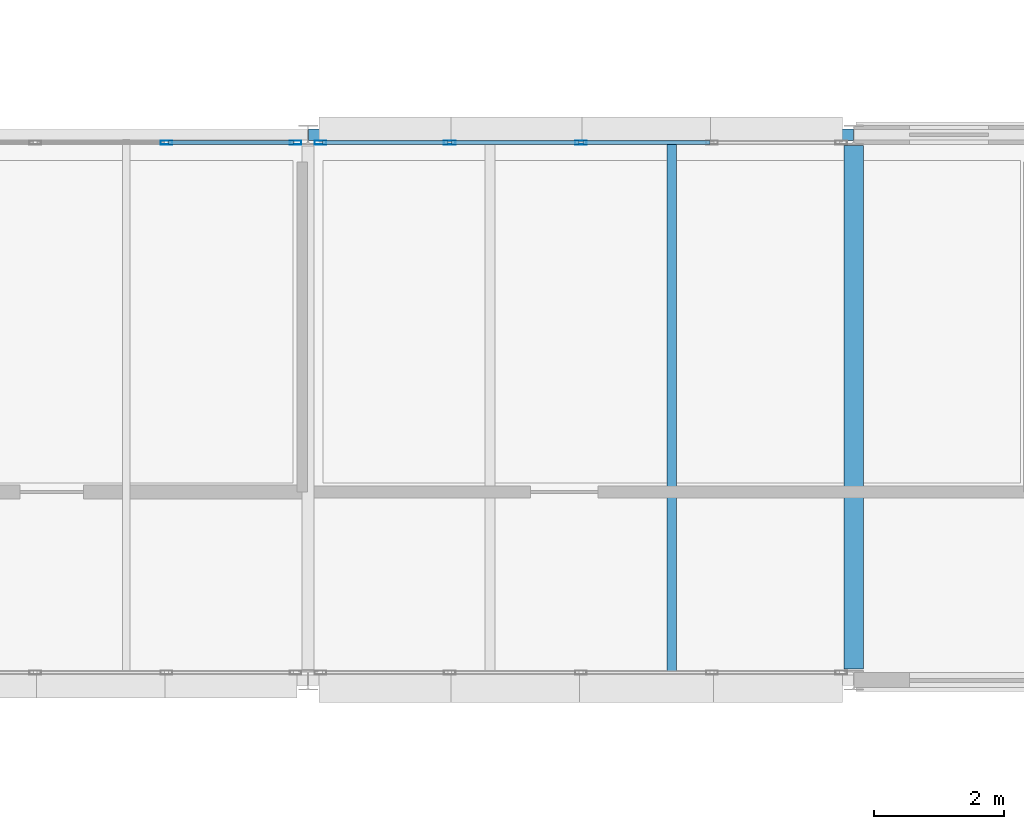
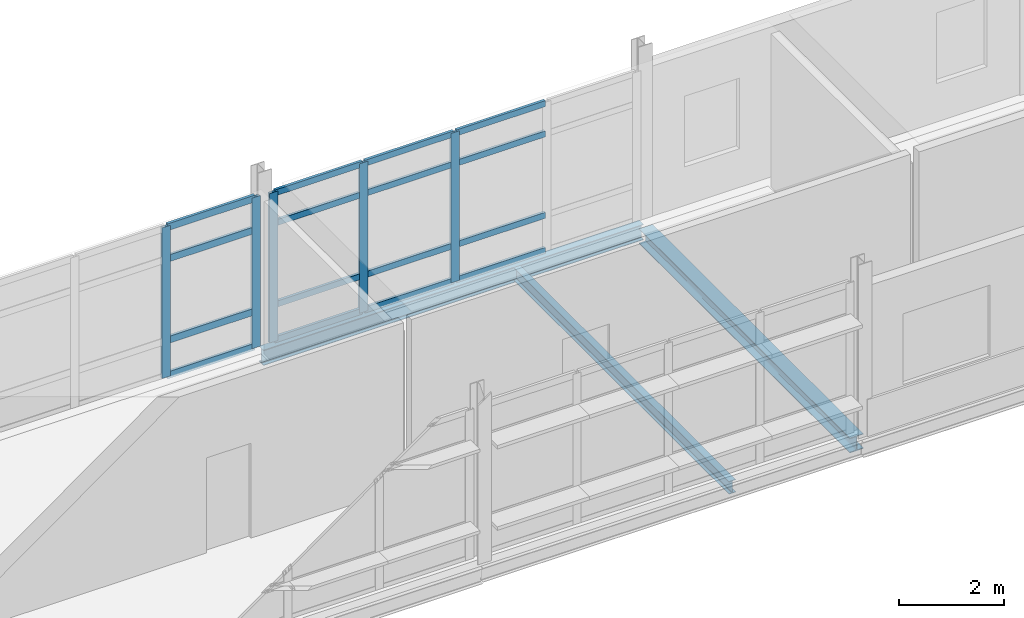
# One storey, part 24 of 57: 21 members, 3 beams, 2 elements without a shape of their own.
"""IFC4 building model written with IfcOpenShell, lengths in metres."""

import ifcopenshell
import ifcopenshell.guid

model = None  # the IFC model being written
_history = None  # IfcOwnerHistory: only IFC2X3 demands one
_inside = {}  # id of a spatial element -> (the spatial element, [elements in it])
_under = {}  # id of a project, library or spatial element -> (it, [spatial elements below it])
_declared = {}  # id of a project -> (the project, [libraries it declares])
_typed = {}  # id of a type object -> (the type object, [elements of that type])
_made_of = {}  # id of a material, layer set ... -> (it, [elements and type objects made of it])


def new_model(schema):
    """Start an empty IFC model of exactly this schema.

    Asked for "IFC4X3", IfcOpenShell would pick the latest addendum, in which some entities
    have other attributes; the version numbers below select the first issue.
    IFC2X3 requires an IfcOwnerHistory on every rooted entity: one is made here for all.
    """
    global model, _history
    if schema == "IFC4X3":
        model = ifcopenshell.file(schema_version=(4, 3, 0, 0))
    else:
        model = ifcopenshell.file(schema=schema)
    _inside.clear()
    _under.clear()
    _declared.clear()
    _typed.clear()
    _made_of.clear()
    _history = None
    if model.schema == "IFC2X3":
        org = make("IfcOrganization", Name="unknown")
        user = make(
            "IfcPersonAndOrganization",
            ThePerson=make("IfcPerson", FamilyName="unknown"),
            TheOrganization=org,
        )
        app = make(
            "IfcApplication",
            ApplicationDeveloper=org,
            Version="unknown",
            ApplicationFullName="unknown",
            ApplicationIdentifier="unknown",
        )
        _history = make(
            "IfcOwnerHistory",
            OwningUser=user,
            OwningApplication=app,
            ChangeAction="ADDED",
            CreationDate=0,
        )
    return model


def make(cls, **values):
    """One entity of the class cls with the attributes given. An attribute that is None is left unset."""
    return model.create_entity(
        cls, **{name: value for name, value in values.items() if value is not None}
    )


def rooted(cls, **values):
    """An entity with a GlobalId (a new one), such as an element, a storey or a relation."""
    return make(cls, GlobalId=ifcopenshell.guid.new(), OwnerHistory=_history, **values)


def si_unit(unit_type, name, prefix=None):
    """IfcSIUnit, for example si_unit("LENGTHUNIT", "METRE", prefix="MILLI")."""
    return make("IfcSIUnit", UnitType=unit_type, Prefix=prefix, Name=name)


def assignment(units):
    """IfcUnitAssignment: the units of a project."""
    return None if units is None else make("IfcUnitAssignment", Units=units)


def point(xyz):
    """IfcCartesianPoint."""
    return None if xyz is None else make("IfcCartesianPoint", Coordinates=xyz)


def direction(xyz):
    """IfcDirection."""
    return None if xyz is None else make("IfcDirection", DirectionRatios=xyz)


def frame(location, z_axis=None, x_axis=None):
    """IfcAxis2Placement3D, a coordinate frame: its origin and axes. An axis left out is left unset."""
    return make(
        "IfcAxis2Placement3D",
        Location=point(location),
        Axis=direction(z_axis),
        RefDirection=direction(x_axis),
    )


def frame_2d(location, x_axis=None):
    """IfcAxis2Placement2D, a coordinate frame in the plane: its origin and x axis."""
    return make(
        "IfcAxis2Placement2D", Location=point(location), RefDirection=direction(x_axis)
    )


def origin():
    """The frame at (0, 0, 0) with its axes left unset."""
    return frame((0.0, 0.0, 0.0))


def origin_2d():
    """The frame at (0, 0) in the plane with its x axis left unset."""
    return frame_2d((0.0, 0.0))


def place(relative_to, where):
    """IfcLocalPlacement: puts the frame where relative to a parent placement (None: the world)."""
    return make(
        "IfcLocalPlacement", PlacementRelTo=relative_to, RelativePlacement=where
    )


def context(
    kind, dimensions, precision=None, world=None, true_north=None, identifier=None
):
    """IfcGeometricRepresentationContext, for example the 3D "Model" context."""
    return make(
        "IfcGeometricRepresentationContext",
        ContextIdentifier=identifier,
        ContextType=kind,
        CoordinateSpaceDimension=dimensions,
        Precision=precision,
        WorldCoordinateSystem=world,
        TrueNorth=true_north,
    )


def subcontext(parent, identifier, kind, view, scale=None):
    """IfcGeometricRepresentationSubContext, for example "Body" below "Model"."""
    return make(
        "IfcGeometricRepresentationSubContext",
        ContextIdentifier=identifier,
        ContextType=kind,
        ParentContext=parent,
        TargetScale=scale,
        TargetView=view,
    )


def project(units=None, contexts=None):
    """IfcProject with its units and contexts."""
    return rooted(
        "IfcProject",
        Name="project",
        RepresentationContexts=contexts,
        UnitsInContext=assignment(units),
    )


def spatial(cls, under=None, at=None, **own):
    """A site, building, storey or space (cls), placed at a placement, below another one or the project."""
    s = rooted(cls, ObjectPlacement=at, **own)
    if under is not None:
        _under.setdefault(under.id(), (under, []))[1].append(s)
    return s


def profile(cls, at=None, kind="AREA", **sizes):
    """A parametric profile (cls). Its sizes go by their IFC names, for example OverallWidth=200.0."""
    return make(cls, ProfileType=kind, Position=at, **sizes)


def hollow_rectangle(**sizes):
    """IfcRectangleHollowProfileDef."""
    return profile("IfcRectangleHollowProfileDef", **sizes)


def i_section(**sizes):
    """IfcIShapeProfileDef."""
    return profile("IfcIShapeProfileDef", **sizes)


def extrude(swept, where, along, depth):
    """IfcExtrudedAreaSolid: the profile swept, set in the frame where, extruded along a direction by depth."""
    return make(
        "IfcExtrudedAreaSolid",
        SweptArea=swept,
        Position=where,
        ExtrudedDirection=direction(along),
        Depth=depth,
    )


def shape(context_of_items, identifier, shape_type, items):
    """IfcShapeRepresentation: the items that make up one representation, for example the "Body"."""
    return make(
        "IfcShapeRepresentation",
        ContextOfItems=context_of_items,
        RepresentationIdentifier=identifier,
        RepresentationType=shape_type,
        Items=items,
    )


def material(Name=None, Category=None):
    """IfcMaterial."""
    return make("IfcMaterial", Name=Name, Category=Category)


def material_profile(
    of_material, cross_section, Name=None, Category=None, Priority=None
):
    """IfcMaterialProfile: a cross section and its material."""
    return make(
        "IfcMaterialProfile",
        Name=Name,
        Material=of_material,
        Profile=cross_section,
        Priority=Priority,
        Category=Category,
    )


def profile_set(profiles, Name=None, composite=None):
    """IfcMaterialProfileSet."""
    return make(
        "IfcMaterialProfileSet",
        Name=Name,
        MaterialProfiles=profiles,
        CompositeProfile=composite,
    )


def made_of(thing, what):
    """Note that an element or type object is made of a material, layer set ...; save() writes the relation."""
    if what is not None:
        _made_of.setdefault(what.id(), (what, []))[1].append(thing)
    return thing


def type_object(cls, material=None, **own):
    """A type object (cls), such as IfcWallType, which elements share."""
    return made_of(rooted(cls, **own), material)


def element(
    cls,
    number,
    at=None,
    inside=None,
    cuts=None,
    type_object=None,
    material=None,
    context=None,
    identifier="Body",
    shape_type=None,
    held_by="IfcProductDefinitionShape",
    body=None,
    shapes=None,
    **own,
):
    """One element of the class cls, such as IfcWall. Its Tag is "e" and its number.

    at: its placement. inside: the storey or other place that contains it. cuts: it is an
    opening in that element (IfcRelVoidsElement). A single representation is given by context,
    identifier, shape_type and body (its items); several are given by shapes. held_by: the class
    of the entity that holds the representations. save() writes the other relations.
    """
    e = rooted(cls, Tag="e%d" % number, ObjectPlacement=at, **own)
    if body is not None:
        shapes = [shape(context, identifier, shape_type, body)]
    if shapes is not None:
        e.Representation = make(held_by, Representations=shapes)
    if inside is not None:
        _inside.setdefault(inside.id(), (inside, []))[1].append(e)
    if cuts is not None:
        rooted(
            "IfcRelVoidsElement", RelatingBuildingElement=cuts, RelatedOpeningElement=e
        )
    if type_object is not None:
        _typed.setdefault(type_object.id(), (type_object, []))[1].append(e)
    return made_of(e, material)


def aggregate(whole, parts):
    """IfcRelAggregates: a whole, such as a stair, and the parts it consists of."""
    return rooted("IfcRelAggregates", RelatingObject=whole, RelatedObjects=parts)


def save(model, path):
    """Write the relations noted so far, then the file.

    IfcRelAggregates (storeys below a building ...), IfcRelContainedInSpatialStructure (elements
    in a storey), IfcRelDefinesByType, IfcRelAssociatesMaterial and IfcRelDeclares: one each for
    every whole, place, type object, material and project.
    """
    for whole, parts in _under.values():
        aggregate(whole, parts)
    for where, things in _inside.values():
        rooted(
            "IfcRelContainedInSpatialStructure",
            RelatedElements=things,
            RelatingStructure=where,
        )
    for kind, things in _typed.values():
        rooted("IfcRelDefinesByType", RelatedObjects=things, RelatingType=kind)
    for what, things in _made_of.values():
        rooted("IfcRelAssociatesMaterial", RelatedObjects=things, RelatingMaterial=what)
    for by, libraries in _declared.values():
        rooted("IfcRelDeclares", RelatingContext=by, RelatedDefinitions=libraries)
    model.write(path)


model = new_model("IFC4")

# Units and contexts
model_context = context("Model", 3, precision=1e-05, world=origin(), true_north=direction((0.0, 1.0)))
body_context = subcontext(model_context, "Body", "Model", "MODEL_VIEW")
ifc_project = project(units=[si_unit("LENGTHUNIT", "METRE"), si_unit("AREAUNIT", "SQUARE_METRE"), si_unit("VOLUMEUNIT", "CUBIC_METRE"), si_unit("PLANEANGLEUNIT", "RADIAN"), si_unit("MASSUNIT", "GRAM", prefix="KILO")], contexts=[model_context])

# Site, building, storey
site_placement = place(None, origin())
site = spatial("IfcSite", under=ifc_project, at=site_placement, CompositionType="ELEMENT")
building_placement = place(site_placement, origin())
building = spatial("IfcBuilding", under=site, at=building_placement, Name="Mersafa Astral City Hall", CompositionType="ELEMENT")
storey_placement = place(building_placement, frame((0.0, 0.0, 26.10009765625)))
storey = spatial("IfcBuildingStorey", under=building, at=storey_placement, Name="L06", CompositionType="ELEMENT", Elevation=26.10009765625)

# Curtain wall, members
ifc_material_1 = material(Name="Anodised bronze aluminium framing", Category="aluminium")
curtain_wall_type_1 = type_object("IfcCurtainWallType", Name="ENV-CW-2", PredefinedType="USERDEFINED", material=ifc_material_1)
curtain_wall_1_placement = place(storey_placement, origin())
curtain_wall_1 = element("IfcCurtainWall", 1, at=curtain_wall_1_placement, inside=storey, type_object=curtain_wall_type_1, Name="L06 Unitised solar curtain wall 259", ObjectType="UNITISED CURTAIN WALL", PredefinedType="USERDEFINED")
ifc_material_profile_1 = material_profile(ifc_material_1, hollow_rectangle(XDim=0.06005859375, YDim=0.179931640625, WallThickness=0.00390625, at=origin_2d()), Name="RHS 60x180x4")
ifc_profile_set_1 = profile_set([ifc_material_profile_1], Name="Anodised bronze aluminium framing")
member_type_1 = type_object("IfcMemberType", Name="ENV-CW-MUL-1", PredefinedType="MULLION", material=ifc_profile_set_1)
member_1_placement = place(storey_placement, frame((96.60009765625, 125.8798828125, -0.002197265625), z_axis=(0.0, 0.0, 1.0), x_axis=(0.0, -1.0, 0.0)))
member_1 = element("IfcMember", 2, at=member_1_placement, type_object=member_type_1, Name="CW-2 mullion 3", PredefinedType="MULLION", context=body_context, shape_type="SweptSolid", body=[
    extrude(hollow_rectangle(XDim=0.06005859375, YDim=0.179931640625, WallThickness=0.00390625, at=origin_2d()), origin(), (0.0, 0.0, 1.0), 3.489013671875),
])
member_2_placement = place(storey_placement, frame((94.5810546875, 125.8798828125, -0.002197265625), z_axis=(0.0, 0.0, 1.0), x_axis=(0.0, -1.0, 0.0)))
member_2 = element("IfcMember", 3, at=member_2_placement, type_object=member_type_1, Name="CW-2 mullion 4", PredefinedType="MULLION", context=body_context, shape_type="SweptSolid", body=[
    extrude(hollow_rectangle(XDim=0.06005859375, YDim=0.179931640625, WallThickness=0.00390625, at=origin_2d()), origin(), (0.0, 0.0, 1.0), 3.489013671875),
])
member_3_placement = place(storey_placement, frame((92.592041015625, 125.8798828125, -0.002197265625), z_axis=(0.0, 0.0, 1.0), x_axis=(0.0, -1.0, 0.0)))
member_3 = element("IfcMember", 4, at=member_3_placement, type_object=member_type_1, Name="CW-2 mullion 5", PredefinedType="MULLION", context=body_context, shape_type="SweptSolid", body=[
    extrude(hollow_rectangle(XDim=0.06005859375, YDim=0.179931640625, WallThickness=0.00390625, at=origin_2d()), origin(), (0.0, 0.0, 1.0), 3.489013671875),
])

curtain_wall_type_2 = type_object("IfcCurtainWallType", Name="ENV-CW-3", PredefinedType="USERDEFINED", material=ifc_material_1)
curtain_wall_2_placement = place(storey_placement, origin())
curtain_wall_2 = element("IfcCurtainWall", 5, at=curtain_wall_2_placement, inside=storey, type_object=curtain_wall_type_2, Name="L06 Unitised solar curtain wall 260", ObjectType="UNITISED CURTAIN WALL", PredefinedType="USERDEFINED")
member_4_placement = place(storey_placement, frame((92.2080078125, 125.8798828125, -0.002197265625), z_axis=(0.0, 0.0, 1.0), x_axis=(0.0, -1.0, 0.0)))
member_4 = element("IfcMember", 6, at=member_4_placement, type_object=member_type_1, Name="CW-3 mullion 1", PredefinedType="MULLION", context=body_context, shape_type="SweptSolid", body=[
    extrude(hollow_rectangle(XDim=0.06005859375, YDim=0.179931640625, WallThickness=0.00390625, at=origin_2d()), origin(), (0.0, 0.0, 1.0), 3.51904296875),
])
member_5_placement = place(storey_placement, frame((90.218994140625, 125.8798828125, -0.002197265625), z_axis=(0.0, 0.0, 1.0), x_axis=(0.0, -1.0, 0.0)))
member_5 = element("IfcMember", 7, at=member_5_placement, type_object=member_type_1, Name="CW-3 mullion 2", PredefinedType="MULLION", context=body_context, shape_type="SweptSolid", body=[
    extrude(hollow_rectangle(XDim=0.06005859375, YDim=0.179931640625, WallThickness=0.00390625, at=origin_2d()), origin(), (0.0, 0.0, 1.0), 3.51904296875),
])

# Member
ifc_material_profile_2 = material_profile(ifc_material_1, hollow_rectangle(XDim=0.06005859375, YDim=0.139892578125, WallThickness=0.00390625, at=origin_2d()), Name="RHS 60x140x4")
ifc_profile_set_2 = profile_set([ifc_material_profile_2], Name="Anodised bronze aluminium framing")
member_type_2 = type_object("IfcMemberType", Name="ENV-CW-TRN-1", PredefinedType="USERDEFINED", material=ifc_profile_set_2)
member_6_placement = place(storey_placement, frame((98.589111328125, 125.8798828125, 0.02783203125), z_axis=(-1.0, 0.0, 0.0), x_axis=(0.0, -1.0, 0.0)))
member_6 = element("IfcMember", 8, at=member_6_placement, type_object=member_type_2, Name="CW-2 transom 2.1", ObjectType="TRANSOM", PredefinedType="USERDEFINED", context=body_context, shape_type="SweptSolid", body=[
    extrude(hollow_rectangle(XDim=0.06005859375, YDim=0.139892578125, WallThickness=0.00390625, at=origin_2d()), origin(), (0.0, 0.0, 1.0), 1.959228515625),
])

member_7_placement = place(storey_placement, frame((98.589111328125, 125.8798828125, 0.849853515625), z_axis=(-1.0, 0.0, 0.0), x_axis=(0.0, -1.0, 0.0)))
member_7 = element("IfcMember", 9, at=member_7_placement, type_object=member_type_2, Name="CW-2 transom 2.2", ObjectType="TRANSOM", PredefinedType="USERDEFINED", context=body_context, shape_type="SweptSolid", body=[
    extrude(hollow_rectangle(XDim=0.06005859375, YDim=0.139892578125, WallThickness=0.00390625, at=origin_2d()), origin(), (0.0, 0.0, 1.0), 1.959228515625),
])

member_8_placement = place(storey_placement, frame((98.589111328125, 125.8798828125, 2.75), z_axis=(-1.0, 0.0, 0.0), x_axis=(0.0, -1.0, 0.0)))
member_8 = element("IfcMember", 10, at=member_8_placement, type_object=member_type_2, Name="CW-2 transom 2.3", ObjectType="TRANSOM", PredefinedType="USERDEFINED", context=body_context, shape_type="SweptSolid", body=[
    extrude(hollow_rectangle(XDim=0.06005859375, YDim=0.139892578125, WallThickness=0.00390625, at=origin_2d()), origin(), (0.0, 0.0, 1.0), 1.959228515625),
])

member_9_placement = place(storey_placement, frame((98.589111328125, 125.8798828125, 3.456787109375), z_axis=(-1.0, 0.0, 0.0), x_axis=(0.0, -1.0, 0.0)))
member_9 = element("IfcMember", 11, at=member_9_placement, type_object=member_type_2, Name="CW-2 transom 2.4", ObjectType="TRANSOM", PredefinedType="USERDEFINED", context=body_context, shape_type="SweptSolid", body=[
    extrude(hollow_rectangle(XDim=0.06005859375, YDim=0.139892578125, WallThickness=0.00390625, at=origin_2d()), origin(), (0.0, 0.0, 1.0), 1.959228515625),
])

member_10_placement = place(storey_placement, frame((96.570068359375, 125.8798828125, 0.02783203125), z_axis=(-1.0, 0.0, 0.0), x_axis=(0.0, -1.0, 0.0)))
member_10 = element("IfcMember", 12, at=member_10_placement, type_object=member_type_2, Name="CW-2 transom 3.1", ObjectType="TRANSOM", PredefinedType="USERDEFINED", context=body_context, shape_type="SweptSolid", body=[
    extrude(hollow_rectangle(XDim=0.06005859375, YDim=0.139892578125, WallThickness=0.00390625, at=origin_2d()), origin(), (0.0, 0.0, 1.0), 1.958984375),
])

member_11_placement = place(storey_placement, frame((96.570068359375, 125.8798828125, 0.849853515625), z_axis=(-1.0, 0.0, 0.0), x_axis=(0.0, -1.0, 0.0)))
member_11 = element("IfcMember", 13, at=member_11_placement, type_object=member_type_2, Name="CW-2 transom 3.2", ObjectType="TRANSOM", PredefinedType="USERDEFINED", context=body_context, shape_type="SweptSolid", body=[
    extrude(hollow_rectangle(XDim=0.06005859375, YDim=0.139892578125, WallThickness=0.00390625, at=origin_2d()), origin(), (0.0, 0.0, 1.0), 1.958984375),
])

member_12_placement = place(storey_placement, frame((96.570068359375, 125.8798828125, 2.75), z_axis=(-1.0, 0.0, 0.0), x_axis=(0.0, -1.0, 0.0)))
member_12 = element("IfcMember", 14, at=member_12_placement, type_object=member_type_2, Name="CW-2 transom 3.3", ObjectType="TRANSOM", PredefinedType="USERDEFINED", context=body_context, shape_type="SweptSolid", body=[
    extrude(hollow_rectangle(XDim=0.06005859375, YDim=0.139892578125, WallThickness=0.00390625, at=origin_2d()), origin(), (0.0, 0.0, 1.0), 1.958984375),
])

member_13_placement = place(storey_placement, frame((96.570068359375, 125.8798828125, 3.456787109375), z_axis=(-1.0, 0.0, 0.0), x_axis=(0.0, -1.0, 0.0)))
member_13 = element("IfcMember", 15, at=member_13_placement, type_object=member_type_2, Name="CW-2 transom 3.4", ObjectType="TRANSOM", PredefinedType="USERDEFINED", context=body_context, shape_type="SweptSolid", body=[
    extrude(hollow_rectangle(XDim=0.06005859375, YDim=0.139892578125, WallThickness=0.00390625, at=origin_2d()), origin(), (0.0, 0.0, 1.0), 1.958984375),
])

member_14_placement = place(storey_placement, frame((94.551025390625, 125.8798828125, 0.02783203125), z_axis=(-1.0, 0.0, 0.0), x_axis=(0.0, -1.0, 0.0)))
member_14 = element("IfcMember", 16, at=member_14_placement, type_object=member_type_2, Name="CW-2 transom 4.1", ObjectType="TRANSOM", PredefinedType="USERDEFINED", context=body_context, shape_type="SweptSolid", body=[
    extrude(hollow_rectangle(XDim=0.06005859375, YDim=0.139892578125, WallThickness=0.00390625, at=origin_2d()), origin(), (0.0, 0.0, 1.0), 1.928955078125),
])

member_15_placement = place(storey_placement, frame((94.551025390625, 125.8798828125, 0.849853515625), z_axis=(-1.0, 0.0, 0.0), x_axis=(0.0, -1.0, 0.0)))
member_15 = element("IfcMember", 17, at=member_15_placement, type_object=member_type_2, Name="CW-2 transom 4.2", ObjectType="TRANSOM", PredefinedType="USERDEFINED", context=body_context, shape_type="SweptSolid", body=[
    extrude(hollow_rectangle(XDim=0.06005859375, YDim=0.139892578125, WallThickness=0.00390625, at=origin_2d()), origin(), (0.0, 0.0, 1.0), 1.928955078125),
])

member_16_placement = place(storey_placement, frame((94.551025390625, 125.8798828125, 2.75), z_axis=(-1.0, 0.0, 0.0), x_axis=(0.0, -1.0, 0.0)))
member_16 = element("IfcMember", 18, at=member_16_placement, type_object=member_type_2, Name="CW-2 transom 4.3", ObjectType="TRANSOM", PredefinedType="USERDEFINED", context=body_context, shape_type="SweptSolid", body=[
    extrude(hollow_rectangle(XDim=0.06005859375, YDim=0.139892578125, WallThickness=0.00390625, at=origin_2d()), origin(), (0.0, 0.0, 1.0), 1.928955078125),
])

member_17_placement = place(storey_placement, frame((94.551025390625, 125.8798828125, 3.456787109375), z_axis=(-1.0, 0.0, 0.0), x_axis=(0.0, -1.0, 0.0)))
member_17 = element("IfcMember", 19, at=member_17_placement, type_object=member_type_2, Name="CW-2 transom 4.4", ObjectType="TRANSOM", PredefinedType="USERDEFINED", context=body_context, shape_type="SweptSolid", body=[
    extrude(hollow_rectangle(XDim=0.06005859375, YDim=0.139892578125, WallThickness=0.00390625, at=origin_2d()), origin(), (0.0, 0.0, 1.0), 1.928955078125),
])

aggregate(curtain_wall_1, [member_1, member_2, member_3, member_6, member_7, member_8, member_9, member_10, member_11, member_12, member_13, member_14, member_15, member_16, member_17])

ifc_material_profile_3 = material_profile(ifc_material_1, hollow_rectangle(XDim=0.06005859375, YDim=0.159912109375, WallThickness=0.00390625, at=origin_2d()), Name="RHS 60x160x4")
ifc_profile_set_3 = profile_set([ifc_material_profile_3], Name="Anodised bronze aluminium framing")
member_type_3 = type_object("IfcMemberType", Name="ENV-CW-TRN-2", PredefinedType="USERDEFINED", material=ifc_profile_set_3)
member_18_placement = place(storey_placement, frame((92.177978515625, 125.8798828125, 0.02783203125), z_axis=(-1.0, 0.0, 0.0), x_axis=(0.0, -1.0, 0.0)))
member_18 = element("IfcMember", 20, at=member_18_placement, type_object=member_type_3, Name="CW-3 transom 1.1", ObjectType="TRANSOM", PredefinedType="USERDEFINED", context=body_context, shape_type="SweptSolid", body=[
    extrude(hollow_rectangle(XDim=0.06005859375, YDim=0.159912109375, WallThickness=0.00390625, at=origin_2d()), origin(), (0.0, 0.0, 1.0), 1.928955078125),
])

member_19_placement = place(storey_placement, frame((92.177978515625, 125.8798828125, 0.849853515625), z_axis=(-1.0, 0.0, 0.0), x_axis=(0.0, -1.0, 0.0)))
member_19 = element("IfcMember", 21, at=member_19_placement, type_object=member_type_3, Name="CW-3 transom 1.2", ObjectType="TRANSOM", PredefinedType="USERDEFINED", context=body_context, shape_type="SweptSolid", body=[
    extrude(hollow_rectangle(XDim=0.06005859375, YDim=0.159912109375, WallThickness=0.00390625, at=origin_2d()), origin(), (0.0, 0.0, 1.0), 1.928955078125),
])

member_20_placement = place(storey_placement, frame((92.177978515625, 125.8798828125, 2.75), z_axis=(-1.0, 0.0, 0.0), x_axis=(0.0, -1.0, 0.0)))
member_20 = element("IfcMember", 22, at=member_20_placement, type_object=member_type_3, Name="CW-3 transom 1.3", ObjectType="TRANSOM", PredefinedType="USERDEFINED", context=body_context, shape_type="SweptSolid", body=[
    extrude(hollow_rectangle(XDim=0.06005859375, YDim=0.159912109375, WallThickness=0.00390625, at=origin_2d()), origin(), (0.0, 0.0, 1.0), 1.928955078125),
])

member_21_placement = place(storey_placement, frame((92.177978515625, 125.8798828125, 3.48681640625), z_axis=(-1.0, 0.0, 0.0), x_axis=(0.0, -1.0, 0.0)))
member_21 = element("IfcMember", 23, at=member_21_placement, type_object=member_type_3, Name="CW-3 transom 1.4", ObjectType="TRANSOM", PredefinedType="USERDEFINED", context=body_context, shape_type="SweptSolid", body=[
    extrude(hollow_rectangle(XDim=0.06005859375, YDim=0.159912109375, WallThickness=0.00390625, at=origin_2d()), origin(), (0.0, 0.0, 1.0), 1.928955078125),
])

aggregate(curtain_wall_2, [member_4, member_5, member_18, member_19, member_20, member_21])

# Beams
ifc_material_2 = material(Name="Steel S355", Category="steel")
ifc_material_profile_4 = material_profile(ifc_material_2, i_section(OverallWidth=0.300048828125, OverallDepth=0.35009765625, WebThickness=0.010009765625, FlangeThickness=0.017578125, FilletRadius=0.027099609375, at=origin_2d()), Name="HEA 360")
ifc_profile_set_4 = profile_set([ifc_material_profile_4], Name="Steel S355")
beam_type_1 = type_object("IfcBeamType", Name="STR-BM-HEA360", PredefinedType="BEAM", material=ifc_profile_set_4)
beam_1_placement = place(storey_placement, frame((100.800048828125, 117.77490234375, -0.35009765625), z_axis=(0.0, 1.0, 0.0), x_axis=(-1.0, 0.0, 0.0)))
element("IfcBeam", 24, at=beam_1_placement, inside=storey, type_object=beam_type_1, Name="L06 Primary girder Y 12-14", PredefinedType="BEAM", context=body_context, shape_type="SweptSolid", body=[
    extrude(i_section(OverallWidth=0.300048828125, OverallDepth=0.35009765625, WebThickness=0.010009765625, FlangeThickness=0.017578125, FilletRadius=0.027099609375, at=origin_2d()), origin(), (0.0, 0.0, 1.0), 8.06005859375),
])
ifc_material_profile_5 = material_profile(ifc_material_2, i_section(OverallWidth=0.14990234375, OverallDepth=0.300048828125, WebThickness=0.007080078125, FlangeThickness=0.0107421875, FilletRadius=0.014892578125, at=origin_2d()), Name="IPE 300")
ifc_profile_set_5 = profile_set([ifc_material_profile_5], Name="Steel S355")
beam_type_2 = type_object("IfcBeamType", Name="STR-BM-JOIST-IPE300", PredefinedType="JOIST", material=ifc_profile_set_5)
beam_2_placement = place(storey_placement, frame((98.0, 117.675048828125, -0.3251953125), z_axis=(0.0, 1.0, 0.0), x_axis=(-1.0, 0.0, 0.0)))
element("IfcBeam", 25, at=beam_2_placement, inside=storey, type_object=beam_type_2, Name="L06 Composite secondary floor joist 855", PredefinedType="JOIST", context=body_context, shape_type="SweptSolid", body=[
    extrude(i_section(OverallWidth=0.14990234375, OverallDepth=0.300048828125, WebThickness=0.007080078125, FlangeThickness=0.0107421875, FilletRadius=0.014892578125, at=origin_2d()), origin(), (0.0, 0.0, 1.0), 8.244873046875),
])
ifc_material_profile_6 = material_profile(ifc_material_2, i_section(OverallWidth=0.169921875, OverallDepth=0.360107421875, WebThickness=0.008056640625, FlangeThickness=0.0126953125, FilletRadius=0.01806640625, at=origin_2d()), Name="IPE 360")
ifc_profile_set_6 = profile_set([ifc_material_profile_6], Name="Steel S355")
beam_type_3 = type_object("IfcBeamType", Name="STR-BM-SPANDREL-IPE360", PredefinedType="SPANDREL", material=ifc_profile_set_6)
beam_3_placement = place(storey_placement, frame((92.403076171875, 126.0, -0.35498046875), z_axis=(1.0, 0.0, 0.0), x_axis=(0.0, 1.0, 0.0)))
element("IfcBeam", 26, at=beam_3_placement, inside=storey, type_object=beam_type_3, Name="L06 Primary girder X 11-15", PredefinedType="SPANDREL", context=body_context, shape_type="SweptSolid", body=[
    extrude(i_section(OverallWidth=0.169921875, OverallDepth=0.360107421875, WebThickness=0.008056640625, FlangeThickness=0.0126953125, FilletRadius=0.01806640625, at=origin_2d()), origin(), (0.0, 0.0, 1.0), 8.39404296875),
])

save(model, "model.ifc")
